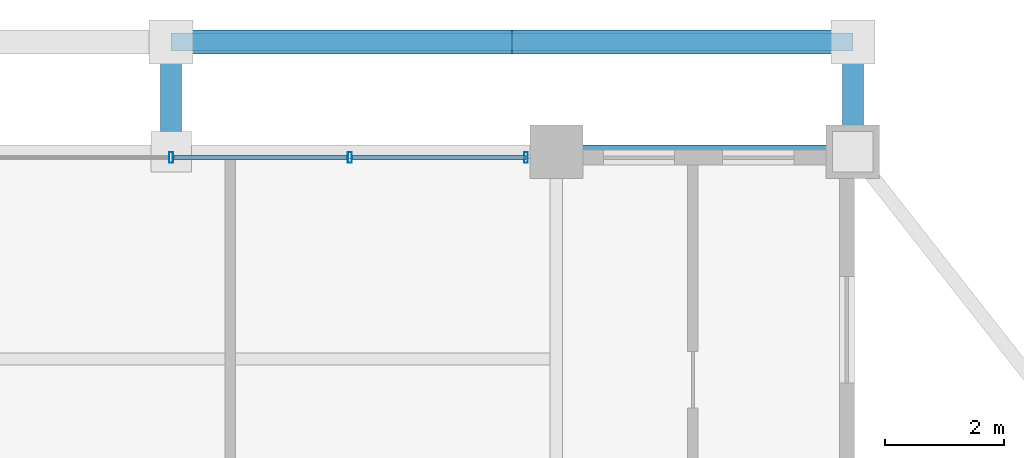
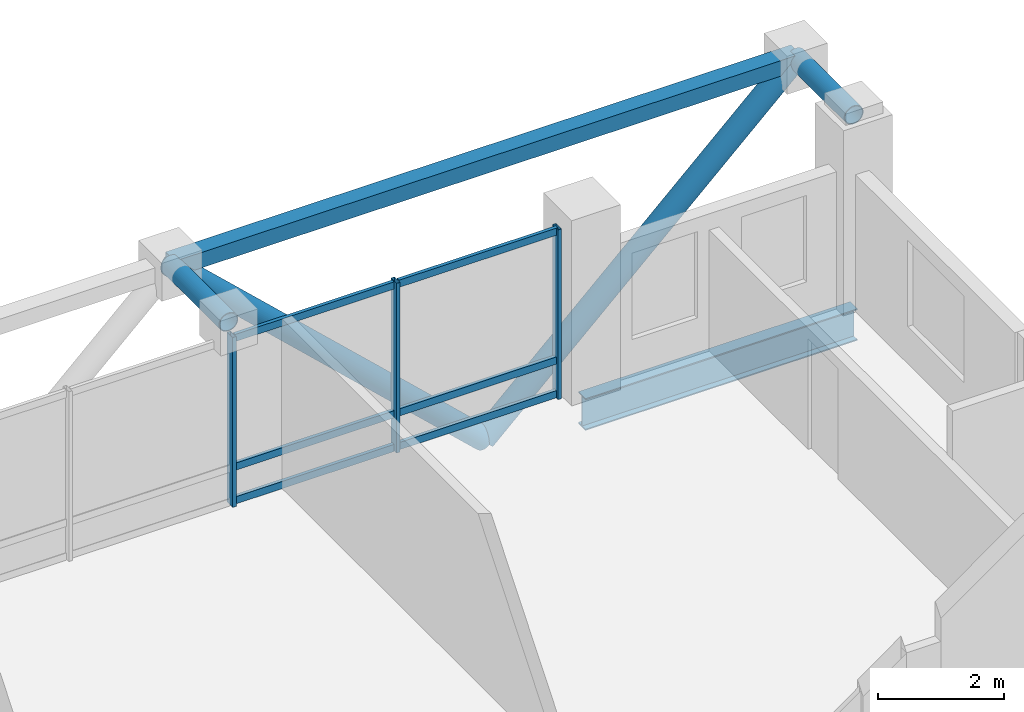
# One storey, part 17 of 25: 14 members, 1 beam, 1 element without a shape of its own.
"""IFC4 building model written with IfcOpenShell, lengths in metres."""

from ifc_helpers import new_model, si_unit, direction, frame, origin, origin_2d, place, context, subcontext, project, spatial, hollow_rectangle, hollow_circle, i_section, extrude, material, layer, layer_set, material_profile, profile_set, type_object, element, aggregate, save


model = new_model("IFC4")

# Units and contexts
model_context = context("Model", 3, precision=1e-05, world=origin(), true_north=direction((0.0, 1.0)))
body_context = subcontext(model_context, "Body", "Model", "MODEL_VIEW")
ifc_project = project(units=[si_unit("LENGTHUNIT", "METRE"), si_unit("AREAUNIT", "SQUARE_METRE"), si_unit("VOLUMEUNIT", "CUBIC_METRE"), si_unit("PLANEANGLEUNIT", "RADIAN"), si_unit("MASSUNIT", "GRAM", prefix="KILO")], contexts=[model_context])

# Site, building, storey
site_placement = place(None, origin())
site = spatial("IfcSite", under=ifc_project, at=site_placement, CompositionType="ELEMENT")
building_placement = place(site_placement, origin())
building = spatial("IfcBuilding", under=site, at=building_placement, Name="Barlavira Tower and Art Museum", CompositionType="ELEMENT")
storey_placement = place(building_placement, frame((0.0, 0.0, 301.5)))
storey = spatial("IfcBuildingStorey", under=building, at=storey_placement, Name="L79", CompositionType="ELEMENT", Elevation=301.5)

# Curtain wall, members
ifc_material_1 = material(Name="Low-iron coastal laminated glass", Category="glass")
ifc_layer = layer(ifc_material_1, 0.2099609375, Name="Low-iron coastal laminated glass")
ifc_layer_set = layer_set([ifc_layer], Name="Low-iron coastal laminated glass")
curtain_wall_type = type_object("IfcCurtainWallType", Name="Pale-Metal Unitised Curtain Wall Zone 4", PredefinedType="NOTDEFINED", material=ifc_layer_set)
curtain_wall_placement = place(storey_placement, origin())
curtain_wall = element("IfcCurtainWall", 1, at=curtain_wall_placement, inside=storey, type_object=curtain_wall_type, Name="L79 Curtain Wall CW4-L79-N-B2", PredefinedType="NOTDEFINED")
ifc_material_2 = material(Name="Pale anodised aluminium", Category="aluminium")
ifc_material_profile_1 = material_profile(ifc_material_2, hollow_rectangle(XDim=0.06494140625, YDim=0.179931640625, WallThickness=0.00390625, at=origin_2d()), Name="ALU-MULL 65x180x4")
ifc_profile_set_1 = profile_set([ifc_material_profile_1], Name="Pale anodised aluminium")
member_type_1 = type_object("IfcMemberType", Name="Curtain Wall Pale-Metal Mullion 65x180", PredefinedType="MULLION", material=ifc_profile_set_1)
member_1_placement = place(storey_placement, frame((5.985107421875, 19.89990234375, 0.0), z_axis=(0.0, 0.0, 1.0), x_axis=(-1.0, 0.0, 0.0)))
member_1 = element("IfcMember", 2, at=member_1_placement, type_object=member_type_1, Name="CW4-L79-N-B2 Mullion 0", PredefinedType="MULLION", context=body_context, shape_type="SweptSolid", body=[
    extrude(hollow_rectangle(XDim=0.06494140625, YDim=0.179931640625, WallThickness=0.00390625, at=origin_2d()), origin(), (0.0, 0.0, 1.0), 3.300048828125),
])
member_2_placement = place(storey_placement, frame((3.014892578125, 19.89990234375, 0.0), z_axis=(0.0, 0.0, 1.0), x_axis=(-1.0, 0.0, 0.0)))
member_2 = element("IfcMember", 3, at=member_2_placement, type_object=member_type_1, Name="CW4-L79-N-B2 Mullion 1", PredefinedType="MULLION", context=body_context, shape_type="SweptSolid", body=[
    extrude(hollow_rectangle(XDim=0.06494140625, YDim=0.179931640625, WallThickness=0.00390625, at=origin_2d()), origin(), (0.0, 0.0, 1.0), 3.300048828125),
])
member_3_placement = place(storey_placement, frame((0.0, 19.89990234375, 0.0), z_axis=(0.0, 0.0, 1.0), x_axis=(-1.0, 0.0, 0.0)))
member_3 = element("IfcMember", 4, at=member_3_placement, type_object=member_type_1, Name="CW4-L79-N-B2 Mullion 2", PredefinedType="MULLION", context=body_context, shape_type="SweptSolid", body=[
    extrude(hollow_rectangle(XDim=0.06494140625, YDim=0.179931640625, WallThickness=0.00390625, at=origin_2d()), origin(), (0.0, 0.0, 1.0), 3.300048828125),
])
ifc_material_profile_2 = material_profile(ifc_material_2, hollow_rectangle(XDim=0.06494140625, YDim=0.139892578125, WallThickness=0.00390625, at=origin_2d()), Name="ALU-TRAN 65x140x4")
ifc_profile_set_2 = profile_set([ifc_material_profile_2], Name="Pale anodised aluminium")
member_type_2 = type_object("IfcMemberType", Name="Curtain Wall Pale-Metal Transom 65x140", PredefinedType="USERDEFINED", material=ifc_profile_set_2)
member_4_placement = place(storey_placement, frame((5.985107421875, 19.89990234375, 0.070068359375), z_axis=(-1.0, 0.0, 0.0), x_axis=(0.0, -1.0, 0.0)))
member_4 = element("IfcMember", 5, at=member_4_placement, type_object=member_type_2, Name="CW4-L79-N-B2 Transom 0.1", ObjectType="TRANSOM", PredefinedType="USERDEFINED", context=body_context, shape_type="SweptSolid", body=[
    extrude(hollow_rectangle(XDim=0.06494140625, YDim=0.139892578125, WallThickness=0.00390625, at=origin_2d()), origin(), (0.0, 0.0, 1.0), 2.925048828125),
])
member_5_placement = place(storey_placement, frame((5.985107421875, 19.89990234375, 0.72607421875), z_axis=(-1.0, 0.0, 0.0), x_axis=(0.0, -1.0, 0.0)))
member_5 = element("IfcMember", 6, at=member_5_placement, type_object=member_type_2, Name="CW4-L79-N-B2 Transom 0.2", ObjectType="TRANSOM", PredefinedType="USERDEFINED", context=body_context, shape_type="SweptSolid", body=[
    extrude(hollow_rectangle(XDim=0.06494140625, YDim=0.139892578125, WallThickness=0.00390625, at=origin_2d()), origin(), (0.0, 0.0, 1.0), 2.925048828125),
])
member_6_placement = place(storey_placement, frame((5.985107421875, 19.89990234375, 3.22998046875), z_axis=(-1.0, 0.0, 0.0), x_axis=(0.0, -1.0, 0.0)))
member_6 = element("IfcMember", 7, at=member_6_placement, type_object=member_type_2, Name="CW4-L79-N-B2 Transom 0.3", ObjectType="TRANSOM", PredefinedType="USERDEFINED", context=body_context, shape_type="SweptSolid", body=[
    extrude(hollow_rectangle(XDim=0.06494140625, YDim=0.139892578125, WallThickness=0.00390625, at=origin_2d()), origin(), (0.0, 0.0, 1.0), 2.925048828125),
])
member_7_placement = place(storey_placement, frame((2.969970703125, 19.89990234375, 0.070068359375), z_axis=(-1.0, 0.0, 0.0), x_axis=(0.0, -1.0, 0.0)))
member_7 = element("IfcMember", 8, at=member_7_placement, type_object=member_type_2, Name="CW4-L79-N-B2 Transom 1.1", ObjectType="TRANSOM", PredefinedType="USERDEFINED", context=body_context, shape_type="SweptSolid", body=[
    extrude(hollow_rectangle(XDim=0.06494140625, YDim=0.139892578125, WallThickness=0.00390625, at=origin_2d()), origin(), (0.0, 0.0, 1.0), 2.925048828125),
])
member_8_placement = place(storey_placement, frame((2.969970703125, 19.89990234375, 0.72607421875), z_axis=(-1.0, 0.0, 0.0), x_axis=(0.0, -1.0, 0.0)))
member_8 = element("IfcMember", 9, at=member_8_placement, type_object=member_type_2, Name="CW4-L79-N-B2 Transom 1.2", ObjectType="TRANSOM", PredefinedType="USERDEFINED", context=body_context, shape_type="SweptSolid", body=[
    extrude(hollow_rectangle(XDim=0.06494140625, YDim=0.139892578125, WallThickness=0.00390625, at=origin_2d()), origin(), (0.0, 0.0, 1.0), 2.925048828125),
])
member_9_placement = place(storey_placement, frame((2.969970703125, 19.89990234375, 3.22998046875), z_axis=(-1.0, 0.0, 0.0), x_axis=(0.0, -1.0, 0.0)))
member_9 = element("IfcMember", 10, at=member_9_placement, type_object=member_type_2, Name="CW4-L79-N-B2 Transom 1.3", ObjectType="TRANSOM", PredefinedType="USERDEFINED", context=body_context, shape_type="SweptSolid", body=[
    extrude(hollow_rectangle(XDim=0.06494140625, YDim=0.139892578125, WallThickness=0.00390625, at=origin_2d()), origin(), (0.0, 0.0, 1.0), 2.925048828125),
])
aggregate(curtain_wall, [member_1, member_2, member_3, member_4, member_5, member_6, member_7, member_8, member_9])

# Members
ifc_material_3 = material(Name="Steel S355", Category="steel")
ifc_material_profile_3 = material_profile(ifc_material_3, hollow_circle(Radius=0.203125, WallThickness=0.01611328125, at=origin_2d()), Name="CHS 406.4x16.0")
ifc_profile_set_3 = profile_set([ifc_material_profile_3], Name="Steel S355")
member_type_3 = type_object("IfcMemberType", Name="Pale-Metal Exoskeleton Diagrid Tube CHS 406x16 Steel S355", PredefinedType="BRACE", material=ifc_profile_set_3)
for number, where, z_axis, x_axis, name in (
    (11, (5.75, 21.85009765625, -1.919921875), (-0.728950095515, 0.0, 0.684566839869), (0.0, -1.0, 0.0), "L79 Exoskeleton Diagrid Tube N"),
    (12, (5.75, 21.85009765625, -1.919921875), (0.728950095515, 0.0, 0.684566839869), (0.0, 1.0, 0.0), "L79 Exoskeleton Diagrid Tube N"),
):
    element("IfcMember", number, at=place(storey_placement, frame(where, z_axis=z_axis, x_axis=x_axis)), inside=storey, type_object=member_type_3, Name=name, PredefinedType="BRACE", context=body_context, shape_type="SweptSolid", body=[
        extrude(hollow_circle(Radius=0.203125, WallThickness=0.01611328125, at=origin_2d()), origin(), (0.0, 0.0, 1.0), 7.887939453125),
    ])
ifc_material_profile_4 = material_profile(ifc_material_3, hollow_circle(Radius=0.177734375, WallThickness=0.01611328125, at=origin_2d()), Name="CHS 355.6x16.0")
ifc_profile_set_4 = profile_set([ifc_material_profile_4], Name="Steel S355")
member_type_4 = type_object("IfcMemberType", Name="Pale-Metal Exoskeleton Tie Strut CHS 356x16 Steel S355", PredefinedType="STRUT", material=ifc_profile_set_4)
for number, where, z_axis, x_axis, name in (
    (13, (0.0, 21.85009765625, 3.47998046875), (0.0, -1.0, 0.0), (1.0, 0.0, 0.0), "L79 Exoskeleton Top Tie Strut N2"),
    (14, (11.5, 21.85009765625, 3.47998046875), (0.0, -1.0, 0.0), (1.0, 0.0, 0.0), "L79 Exoskeleton Top Tie Strut N3"),
):
    element("IfcMember", number, at=place(storey_placement, frame(where, z_axis=z_axis, x_axis=x_axis)), inside=storey, type_object=member_type_4, Name=name, PredefinedType="STRUT", context=body_context, shape_type="SweptSolid", body=[
        extrude(hollow_circle(Radius=0.177734375, WallThickness=0.01611328125, at=origin_2d()), origin(), (0.0, 0.0, 1.0), 1.85009765625),
    ])
ifc_material_profile_5 = material_profile(ifc_material_3, hollow_rectangle(XDim=0.300048828125, YDim=0.300048828125, WallThickness=0.01611328125, at=origin_2d()), Name="SHS 300x300x16.0")
ifc_profile_set_5 = profile_set([ifc_material_profile_5], Name="Steel S355")
member_type_5 = type_object("IfcMemberType", Name="Pale-Metal Upper Ring Strut SHS 300x300x16 Steel S355", PredefinedType="STRUT", material=ifc_profile_set_5)
member_10_placement = place(storey_placement, frame((0.0, 21.85009765625, 3.47998046875), z_axis=(1.0, 0.0, 0.0), x_axis=(0.0, 1.0, 0.0)))
element("IfcMember", 15, at=member_10_placement, inside=storey, type_object=member_type_5, Name="L79 Exoskeleton Top Ring Strut N", PredefinedType="STRUT", context=body_context, shape_type="SweptSolid", body=[
    extrude(hollow_rectangle(XDim=0.300048828125, YDim=0.300048828125, WallThickness=0.01611328125, at=origin_2d()), origin(), (0.0, 0.0, 1.0), 11.5),
])

# Beam
ifc_material_profile_6 = material_profile(ifc_material_3, i_section(OverallWidth=0.22998046875, OverallDepth=0.616943359375, WebThickness=0.01318359375, FlangeThickness=0.022216796875, at=origin_2d()), Name="W610x140.0")
ifc_profile_set_6 = profile_set([ifc_material_profile_6], Name="Steel S355")
beam_type = type_object("IfcBeamType", Name="Upper Shaft Spandrel Edge Beam W610x140 Steel S355", PredefinedType="SPANDREL", material=ifc_profile_set_6)
beam_placement = place(storey_placement, frame((6.5, 20.0, -0.528564453125), z_axis=(1.0, 0.0, 0.0), x_axis=(0.0, 1.0, 0.0)))
element("IfcBeam", 16, at=beam_placement, inside=storey, type_object=beam_type, Name="L79 Spandrel 9", PredefinedType="SPANDREL", context=body_context, shape_type="SweptSolid", body=[
    extrude(i_section(OverallWidth=0.22998046875, OverallDepth=0.616943359375, WebThickness=0.01318359375, FlangeThickness=0.022216796875, at=origin_2d()), origin(), (0.0, 0.0, 1.0), 5.0),
])

save(model, "model.ifc")
